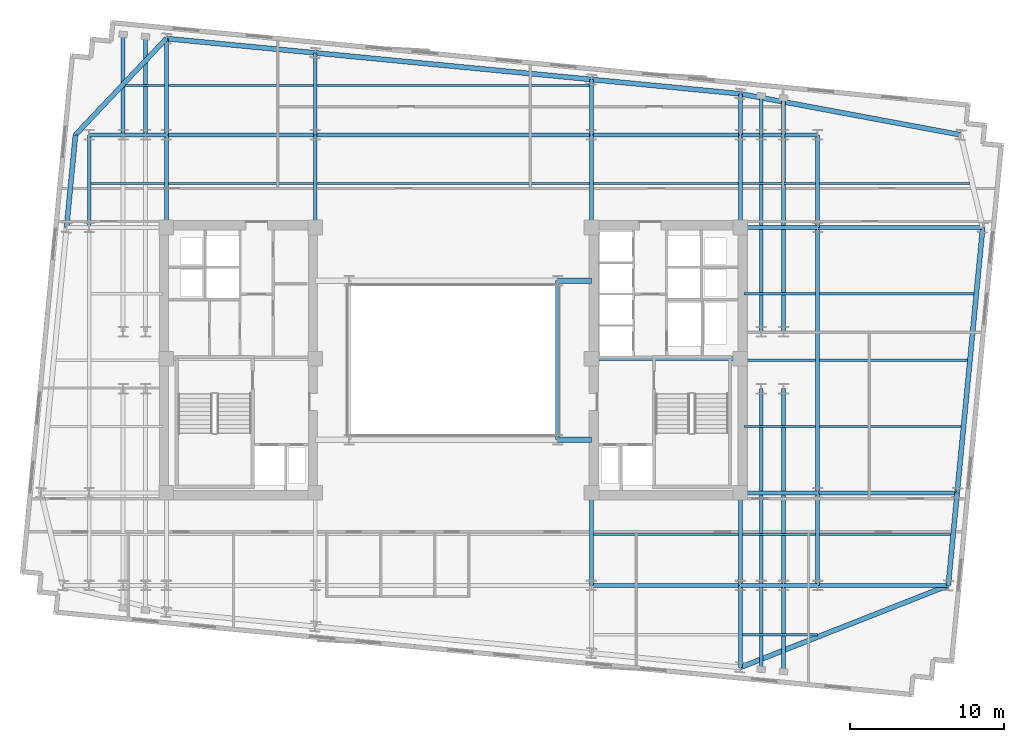
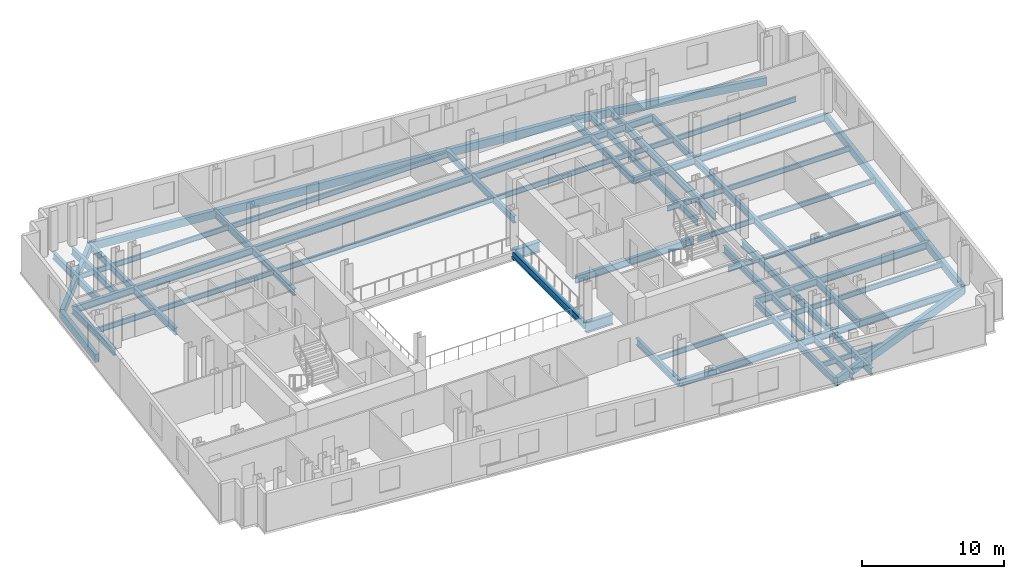
# One storey, part 2 of 9: 69 beams.
"""IFC4 building model written with IfcOpenShell, lengths in metres."""

from ifc_helpers import new_model, si_unit, direction, frame, origin, origin_2d, place, context, subcontext, project, spatial, rectangle, i_section, extrude, material, material_profile, profile_set, type_object, element, save


model = new_model("IFC4")

# Units and contexts
model_context = context("Model", 3, precision=1e-05, world=origin(), true_north=direction((0.0, 1.0)))
body_context = subcontext(model_context, "Body", "Model", "MODEL_VIEW")
ifc_project = project(units=[si_unit("LENGTHUNIT", "METRE"), si_unit("AREAUNIT", "SQUARE_METRE"), si_unit("VOLUMEUNIT", "CUBIC_METRE"), si_unit("PLANEANGLEUNIT", "RADIAN"), si_unit("MASSUNIT", "GRAM", prefix="KILO")], contexts=[model_context])

# Site, building, storey
site_placement = place(None, origin())
site = spatial("IfcSite", under=ifc_project, at=site_placement, CompositionType="ELEMENT")
building_placement = place(site_placement, origin())
building = spatial("IfcBuilding", under=site, at=building_placement, Name="Velakula Bourse", CompositionType="ELEMENT")
storey_placement = place(building_placement, frame((0.0, 0.0, 181.10009765625)))
storey = spatial("IfcBuildingStorey", under=building, at=storey_placement, Name="L49", CompositionType="ELEMENT", Elevation=181.10009765625)

# Beams
ifc_material_1 = material(Name="Steel IS 2062 Grade 350 (E350)", Category="steel")
ifc_material_profile_1 = material_profile(ifc_material_1, i_section(OverallWidth=0.25, OverallDepth=0.60009765625, WebThickness=0.01123046875, FlangeThickness=0.021240234375, at=origin_2d()), Name="Steel IS 2062 Grade 350 (E350)")
ifc_profile_set_1 = profile_set([ifc_material_profile_1], Name="Steel IS 2062 Grade 350 (E350)")
beam_type_1 = type_object("IfcBeamType", Name="BM-GRD-600M", PredefinedType="BEAM", material=ifc_profile_set_1)
beam_1_placement = place(storey_placement, frame((8.949951171875, 0.10009765625, -0.47998046875), z_axis=(1.0, 0.0, 0.0), x_axis=(0.0, 1.0, 0.0)))
element("IfcBeam", 1, at=beam_1_placement, inside=storey, type_object=beam_type_1, Name="L49 Primary Backbone Girder CRE-M", PredefinedType="BEAM", context=body_context, shape_type="SweptSolid", body=[
    extrude(i_section(OverallWidth=0.25, OverallDepth=0.60009765625, WebThickness=0.01123046875, FlangeThickness=0.021240234375, at=origin_2d()), origin(), (0.0, 0.0, 1.0), 9.650146484375),
])
beam_2_placement = place(storey_placement, frame((6.75, -5.14990234375, -0.47998046875), z_axis=(0.0, 1.0, 0.0), x_axis=(-1.0, 0.0, 0.0)))
element("IfcBeam", 2, at=beam_2_placement, inside=storey, type_object=beam_type_1, Name="L49 Primary Backbone Girder SPN-E", PredefinedType="BEAM", context=body_context, shape_type="SweptSolid", body=[
    extrude(i_section(OverallWidth=0.25, OverallDepth=0.60009765625, WebThickness=0.01123046875, FlangeThickness=0.021240234375, at=origin_2d()), origin(), (0.0, 0.0, 1.0), 10.2998046875),
])
for number, where, z_axis, x_axis, name in (
    (3, (-18.60009765625, 8.60009765625, -0.47998046875), (0.0, 1.0, 0.0), (-1.0, 0.0, 0.0), "L49 Fulcrum Grid Girder FLC-WN"),
    (4, (-8.949951171875, 8.60009765625, -0.47998046875), (0.0, 1.0, 0.0), (-1.0, 0.0, 0.0), "L49 Fulcrum Grid Girder FLC-WCN"),
    (5, (8.949951171875, -14.60009765625, -0.47998046875), (0.0, 1.0, 0.0), (-1.0, 0.0, 0.0), "L49 Fulcrum Grid Girder FLC-ECS"),
    (6, (8.949951171875, 8.60009765625, -0.47998046875), (0.0, 1.0, 0.0), (-1.0, 0.0, 0.0), "L49 Fulcrum Grid Girder FLC-ECN"),
    (7, (18.60009765625, -14.60009765625, -0.47998046875), (0.0, 1.0, 0.0), (-1.0, 0.0, 0.0), "L49 Fulcrum Grid Girder FLC-ES"),
    (8, (18.60009765625, 8.60009765625, -0.47998046875), (0.0, 1.0, 0.0), (-1.0, 0.0, 0.0), "L49 Fulcrum Grid Girder FLC-EN"),
):
    element("IfcBeam", number, at=place(storey_placement, frame(where, z_axis=z_axis, x_axis=x_axis)), inside=storey, type_object=beam_type_1, Name=name, PredefinedType="BEAM", context=body_context, shape_type="SweptSolid", body=[
        extrude(i_section(OverallWidth=0.25, OverallDepth=0.60009765625, WebThickness=0.01123046875, FlangeThickness=0.021240234375, at=origin_2d()), origin(), (0.0, 0.0, 1.0), 6.0),
    ])
for number, where, z_axis, x_axis, name in (
    (9, (8.949951171875, -14.60009765625, -0.47998046875), (1.0, 0.0, 0.0), (0.0, 1.0, 0.0), "L49 Fulcrum Grid Girder FLC-S3"),
    (10, (-18.60009765625, 14.60009765625, -0.47998046875), (1.0, 0.0, 0.0), (0.0, 1.0, 0.0), "L49 Fulcrum Grid Girder FLC-N1"),
):
    element("IfcBeam", number, at=place(storey_placement, frame(where, z_axis=z_axis, x_axis=x_axis)), inside=storey, type_object=beam_type_1, Name=name, PredefinedType="BEAM", context=body_context, shape_type="SweptSolid", body=[
        extrude(i_section(OverallWidth=0.25, OverallDepth=0.60009765625, WebThickness=0.01123046875, FlangeThickness=0.021240234375, at=origin_2d()), origin(), (0.0, 0.0, 1.0), 9.650146484375),
    ])
beam_3_placement = place(storey_placement, frame((-8.949951171875, 14.60009765625, -0.47998046875), z_axis=(1.0, 0.0, 0.0), x_axis=(0.0, 1.0, 0.0)))
element("IfcBeam", 11, at=beam_3_placement, inside=storey, type_object=beam_type_1, Name="L49 Fulcrum Grid Girder FLC-N2", PredefinedType="BEAM", context=body_context, shape_type="SweptSolid", body=[
    extrude(i_section(OverallWidth=0.25, OverallDepth=0.60009765625, WebThickness=0.01123046875, FlangeThickness=0.021240234375, at=origin_2d()), origin(), (0.0, 0.0, 1.0), 17.89990234375),
])
beam_4_placement = place(storey_placement, frame((8.949951171875, 14.60009765625, -0.47998046875), z_axis=(1.0, 0.0, 0.0), x_axis=(0.0, 1.0, 0.0)))
element("IfcBeam", 12, at=beam_4_placement, inside=storey, type_object=beam_type_1, Name="L49 Fulcrum Grid Girder FLC-N3", PredefinedType="BEAM", context=body_context, shape_type="SweptSolid", body=[
    extrude(i_section(OverallWidth=0.25, OverallDepth=0.60009765625, WebThickness=0.01123046875, FlangeThickness=0.021240234375, at=origin_2d()), origin(), (0.0, 0.0, 1.0), 9.650146484375),
])
for number, where, z_axis, x_axis, name in (
    (13, (19.949951171875, -14.60009765625, -0.47998046875), (0.0, 1.0, 0.0), (-1.0, 0.0, 0.0), "L49 Fulcrum Grid Girder FLC-PSE1"),
    (14, (19.949951171875, 1.85009765625, -0.47998046875), (0.0, 1.0, 0.0), (-1.0, 0.0, 0.0), "L49 Fulcrum Grid Girder FLC-PNE1"),
    (15, (21.39990234375, -14.60009765625, -0.47998046875), (0.0, 1.0, 0.0), (-1.0, 0.0, 0.0), "L49 Fulcrum Grid Girder FLC-PSE2"),
    (16, (21.39990234375, 1.85009765625, -0.47998046875), (0.0, 1.0, 0.0), (-1.0, 0.0, 0.0), "L49 Fulcrum Grid Girder FLC-PNE2"),
):
    element("IfcBeam", number, at=place(storey_placement, frame(where, z_axis=z_axis, x_axis=x_axis)), inside=storey, type_object=beam_type_1, Name=name, PredefinedType="BEAM", context=body_context, shape_type="SweptSolid", body=[
        extrude(i_section(OverallWidth=0.25, OverallDepth=0.60009765625, WebThickness=0.01123046875, FlangeThickness=0.021240234375, at=origin_2d()), origin(), (0.0, 0.0, 1.0), 12.75),
    ])
beam_5_placement = place(storey_placement, frame((-23.60009765625, 14.60009765625, -0.47998046875), z_axis=(1.0, 0.0, 0.0), x_axis=(0.0, 1.0, 0.0)))
element("IfcBeam", 17, at=beam_5_placement, inside=storey, type_object=beam_type_1, Name="L49 Fulcrum Grid Girder MWG-WN2", PredefinedType="BEAM", context=body_context, shape_type="SweptSolid", body=[
    extrude(i_section(OverallWidth=0.25, OverallDepth=0.60009765625, WebThickness=0.01123046875, FlangeThickness=0.021240234375, at=origin_2d()), origin(), (0.0, 0.0, 1.0), 5.0),
])
beam_6_placement = place(storey_placement, frame((-23.60009765625, 8.60009765625, -0.47998046875), z_axis=(0.0, 1.0, 0.0), x_axis=(-1.0, 0.0, 0.0)))
element("IfcBeam", 18, at=beam_6_placement, inside=storey, type_object=beam_type_1, Name="L49 Fulcrum Grid Girder MWG-WNS3", PredefinedType="BEAM", context=body_context, shape_type="SweptSolid", body=[
    extrude(i_section(OverallWidth=0.25, OverallDepth=0.60009765625, WebThickness=0.01123046875, FlangeThickness=0.021240234375, at=origin_2d()), origin(), (0.0, 0.0, 1.0), 6.0),
])
for number, where, z_axis, x_axis, name in (
    (19, (18.60009765625, -14.60009765625, -0.47998046875), (1.0, 0.0, 0.0), (0.0, 1.0, 0.0), "L49 Fulcrum Grid Girder MWG-ES1"),
    (20, (18.60009765625, -8.60009765625, -0.47998046875), (1.0, 0.0, 0.0), (0.0, 1.0, 0.0), "L49 Fulcrum Grid Girder MWG-ES2"),
    (21, (18.60009765625, 8.60009765625, -0.47998046875), (1.0, 0.0, 0.0), (0.0, 1.0, 0.0), "L49 Fulcrum Grid Girder MWG-EN1"),
    (22, (18.60009765625, 14.60009765625, -0.47998046875), (1.0, 0.0, 0.0), (0.0, 1.0, 0.0), "L49 Fulcrum Grid Girder MWG-EN2"),
):
    element("IfcBeam", number, at=place(storey_placement, frame(where, z_axis=z_axis, x_axis=x_axis)), inside=storey, type_object=beam_type_1, Name=name, PredefinedType="BEAM", context=body_context, shape_type="SweptSolid", body=[
        extrude(i_section(OverallWidth=0.25, OverallDepth=0.60009765625, WebThickness=0.01123046875, FlangeThickness=0.021240234375, at=origin_2d()), origin(), (0.0, 0.0, 1.0), 5.0),
    ])
beam_7_placement = place(storey_placement, frame((23.60009765625, -14.60009765625, -0.47998046875), z_axis=(0.0, 1.0, 0.0), x_axis=(-1.0, 0.0, 0.0)))
element("IfcBeam", 23, at=beam_7_placement, inside=storey, type_object=beam_type_1, Name="L49 Fulcrum Grid Girder MWG-ENS1", PredefinedType="BEAM", context=body_context, shape_type="SweptSolid", body=[
    extrude(i_section(OverallWidth=0.25, OverallDepth=0.60009765625, WebThickness=0.01123046875, FlangeThickness=0.021240234375, at=origin_2d()), origin(), (0.0, 0.0, 1.0), 6.0),
])
beam_8_placement = place(storey_placement, frame((23.60009765625, -8.60009765625, -0.47998046875), z_axis=(0.0, 1.0, 0.0), x_axis=(-1.0, 0.0, 0.0)))
element("IfcBeam", 24, at=beam_8_placement, inside=storey, type_object=beam_type_1, Name="L49 Fulcrum Grid Girder MWG-ENS2", PredefinedType="BEAM", context=body_context, shape_type="SweptSolid", body=[
    extrude(i_section(OverallWidth=0.25, OverallDepth=0.60009765625, WebThickness=0.01123046875, FlangeThickness=0.021240234375, at=origin_2d()), origin(), (0.0, 0.0, 1.0), 17.2001953125),
])
beam_9_placement = place(storey_placement, frame((23.60009765625, 8.60009765625, -0.47998046875), z_axis=(0.0, 1.0, 0.0), x_axis=(-1.0, 0.0, 0.0)))
element("IfcBeam", 25, at=beam_9_placement, inside=storey, type_object=beam_type_1, Name="L49 Fulcrum Grid Girder MWG-ENS3", PredefinedType="BEAM", context=body_context, shape_type="SweptSolid", body=[
    extrude(i_section(OverallWidth=0.25, OverallDepth=0.60009765625, WebThickness=0.01123046875, FlangeThickness=0.021240234375, at=origin_2d()), origin(), (0.0, 0.0, 1.0), 6.0),
])
beam_10_placement = place(storey_placement, frame((18.60009765625, -14.60009765625, -0.47998046875), z_axis=(0.0, -1.0, 0.0), x_axis=(1.0, 0.0, 0.0)))
element("IfcBeam", 26, at=beam_10_placement, inside=storey, type_object=beam_type_1, Name="L49 Perimeter Tie Girder S4", PredefinedType="BEAM", context=body_context, shape_type="SweptSolid", body=[
    extrude(i_section(OverallWidth=0.25, OverallDepth=0.60009765625, WebThickness=0.01123046875, FlangeThickness=0.021240234375, at=origin_2d()), origin(), (0.0, 0.0, 1.0), 5.310546875),
])
beam_11_placement = place(storey_placement, frame((-18.60009765625, 14.60009765625, -0.47998046875), z_axis=(0.0, 1.0, 0.0), x_axis=(-1.0, 0.0, 0.0)))
element("IfcBeam", 27, at=beam_11_placement, inside=storey, type_object=beam_type_1, Name="L49 Perimeter Tie Girder N1", PredefinedType="BEAM", context=body_context, shape_type="SweptSolid", body=[
    extrude(i_section(OverallWidth=0.25, OverallDepth=0.60009765625, WebThickness=0.01123046875, FlangeThickness=0.021240234375, at=origin_2d()), origin(), (0.0, 0.0, 1.0), 6.2421875),
])
beam_12_placement = place(storey_placement, frame((-8.949951171875, 14.60009765625, -0.47998046875), z_axis=(0.0, 1.0, 0.0), x_axis=(-1.0, 0.0, 0.0)))
element("IfcBeam", 28, at=beam_12_placement, inside=storey, type_object=beam_type_1, Name="L49 Perimeter Tie Girder N2", PredefinedType="BEAM", context=body_context, shape_type="SweptSolid", body=[
    extrude(i_section(OverallWidth=0.25, OverallDepth=0.60009765625, WebThickness=0.01123046875, FlangeThickness=0.021240234375, at=origin_2d()), origin(), (0.0, 0.0, 1.0), 5.31298828125),
])
beam_13_placement = place(storey_placement, frame((8.949951171875, 14.60009765625, -0.47998046875), z_axis=(0.0, 1.0, 0.0), x_axis=(-1.0, 0.0, 0.0)))
element("IfcBeam", 29, at=beam_13_placement, inside=storey, type_object=beam_type_1, Name="L49 Perimeter Tie Girder N3", PredefinedType="BEAM", context=body_context, shape_type="SweptSolid", body=[
    extrude(i_section(OverallWidth=0.25, OverallDepth=0.60009765625, WebThickness=0.01123046875, FlangeThickness=0.021240234375, at=origin_2d()), origin(), (0.0, 0.0, 1.0), 3.589599609375),
])
beam_14_placement = place(storey_placement, frame((18.60009765625, 14.60009765625, -0.47998046875), z_axis=(0.0, 1.0, 0.0), x_axis=(-1.0, 0.0, 0.0)))
element("IfcBeam", 30, at=beam_14_placement, inside=storey, type_object=beam_type_1, Name="L49 Perimeter Tie Girder N4", PredefinedType="BEAM", context=body_context, shape_type="SweptSolid", body=[
    extrude(i_section(OverallWidth=0.25, OverallDepth=0.60009765625, WebThickness=0.01123046875, FlangeThickness=0.021240234375, at=origin_2d()), origin(), (0.0, 0.0, 1.0), 2.660400390625),
])
beam_15_placement = place(storey_placement, frame((23.60009765625, -14.60009765625, -0.47998046875), z_axis=(1.0, 0.0, 0.0), x_axis=(0.0, 1.0, 0.0)))
element("IfcBeam", 31, at=beam_15_placement, inside=storey, type_object=beam_type_1, Name="L49 Perimeter Tie Girder E1", PredefinedType="BEAM", context=body_context, shape_type="SweptSolid", body=[
    extrude(i_section(OverallWidth=0.25, OverallDepth=0.60009765625, WebThickness=0.01123046875, FlangeThickness=0.021240234375, at=origin_2d()), origin(), (0.0, 0.0, 1.0), 8.47119140625),
])
beam_16_placement = place(storey_placement, frame((23.60009765625, -8.60009765625, -0.47998046875), z_axis=(1.0, 0.0, 0.0), x_axis=(0.0, 1.0, 0.0)))
element("IfcBeam", 32, at=beam_16_placement, inside=storey, type_object=beam_type_1, Name="L49 Perimeter Tie Girder E2", PredefinedType="BEAM", context=body_context, shape_type="SweptSolid", body=[
    extrude(i_section(OverallWidth=0.25, OverallDepth=0.60009765625, WebThickness=0.01123046875, FlangeThickness=0.021240234375, at=origin_2d()), origin(), (0.0, 0.0, 1.0), 9.048828125),
])
beam_17_placement = place(storey_placement, frame((23.60009765625, 8.60009765625, -0.47998046875), z_axis=(1.0, 0.0, 0.0), x_axis=(0.0, 1.0, 0.0)))
element("IfcBeam", 33, at=beam_17_placement, inside=storey, type_object=beam_type_1, Name="L49 Perimeter Tie Girder E3", PredefinedType="BEAM", context=body_context, shape_type="SweptSolid", body=[
    extrude(i_section(OverallWidth=0.25, OverallDepth=0.60009765625, WebThickness=0.01123046875, FlangeThickness=0.021240234375, at=origin_2d()), origin(), (0.0, 0.0, 1.0), 10.705078125),
])
beam_18_placement = place(storey_placement, frame((19.949951171875, -14.60009765625, -0.47998046875), z_axis=(0.0, -1.0, 0.0), x_axis=(1.0, 0.0, 0.0)))
element("IfcBeam", 34, at=beam_18_placement, inside=storey, type_object=beam_type_1, Name="L49 Perimeter Tie Girder P03", PredefinedType="BEAM", context=body_context, shape_type="SweptSolid", body=[
    extrude(i_section(OverallWidth=0.25, OverallDepth=0.60009765625, WebThickness=0.01123046875, FlangeThickness=0.021240234375, at=origin_2d()), origin(), (0.0, 0.0, 1.0), 5.4404296875),
])
beam_19_placement = place(storey_placement, frame((21.39990234375, -14.60009765625, -0.47998046875), z_axis=(0.0, -1.0, 0.0), x_axis=(1.0, 0.0, 0.0)))
element("IfcBeam", 35, at=beam_19_placement, inside=storey, type_object=beam_type_1, Name="L49 Perimeter Tie Girder P04", PredefinedType="BEAM", context=body_context, shape_type="SweptSolid", body=[
    extrude(i_section(OverallWidth=0.25, OverallDepth=0.60009765625, WebThickness=0.01123046875, FlangeThickness=0.021240234375, at=origin_2d()), origin(), (0.0, 0.0, 1.0), 5.580322265625),
])
beam_20_placement = place(storey_placement, frame((-21.39990234375, 14.60009765625, -0.47998046875), z_axis=(0.0, 1.0, 0.0), x_axis=(-1.0, 0.0, 0.0)))
element("IfcBeam", 36, at=beam_20_placement, inside=storey, type_object=beam_type_1, Name="L49 Perimeter Tie Girder P05", PredefinedType="BEAM", context=body_context, shape_type="SweptSolid", body=[
    extrude(i_section(OverallWidth=0.25, OverallDepth=0.60009765625, WebThickness=0.01123046875, FlangeThickness=0.021240234375, at=origin_2d()), origin(), (0.0, 0.0, 1.0), 6.511962890625),
])
beam_21_placement = place(storey_placement, frame((-19.949951171875, 14.60009765625, -0.47998046875), z_axis=(0.0, 1.0, 0.0), x_axis=(-1.0, 0.0, 0.0)))
element("IfcBeam", 37, at=beam_21_placement, inside=storey, type_object=beam_type_1, Name="L49 Perimeter Tie Girder P06", PredefinedType="BEAM", context=body_context, shape_type="SweptSolid", body=[
    extrude(i_section(OverallWidth=0.25, OverallDepth=0.60009765625, WebThickness=0.01123046875, FlangeThickness=0.021240234375, at=origin_2d()), origin(), (0.0, 0.0, 1.0), 6.372314453125),
])
beam_22_placement = place(storey_placement, frame((19.949951171875, 14.60009765625, -0.47998046875), z_axis=(0.0, 1.0, 0.0), x_axis=(-1.0, 0.0, 0.0)))
element("IfcBeam", 38, at=beam_22_placement, inside=storey, type_object=beam_type_1, Name="L49 Perimeter Tie Girder P07", PredefinedType="BEAM", context=body_context, shape_type="SweptSolid", body=[
    extrude(i_section(OverallWidth=0.25, OverallDepth=0.60009765625, WebThickness=0.01123046875, FlangeThickness=0.021240234375, at=origin_2d()), origin(), (0.0, 0.0, 1.0), 2.530517578125),
])
beam_23_placement = place(storey_placement, frame((21.39990234375, 14.60009765625, -0.47998046875), z_axis=(0.0, 1.0, 0.0), x_axis=(-1.0, 0.0, 0.0)))
element("IfcBeam", 39, at=beam_23_placement, inside=storey, type_object=beam_type_1, Name="L49 Perimeter Tie Girder P08", PredefinedType="BEAM", context=body_context, shape_type="SweptSolid", body=[
    extrude(i_section(OverallWidth=0.25, OverallDepth=0.60009765625, WebThickness=0.01123046875, FlangeThickness=0.021240234375, at=origin_2d()), origin(), (0.0, 0.0, 1.0), 2.390869140625),
])
ifc_material_profile_2 = material_profile(ifc_material_1, i_section(OverallWidth=0.35009765625, OverallDepth=0.89990234375, WebThickness=0.02001953125, FlangeThickness=0.031982421875, at=origin_2d()), Name="Steel IS 2062 Grade 350 (E350)")
ifc_profile_set_2 = profile_set([ifc_material_profile_2], Name="Steel IS 2062 Grade 350 (E350)")
beam_type_2 = type_object("IfcBeamType", Name="BM-LNK-900", PredefinedType="BEAM", material=ifc_profile_set_2)
for number, where, z_axis, x_axis, name in (
    (40, (6.75, -5.14990234375, -0.630126953125), (1.0, 0.0, 0.0), (0.0, 1.0, 0.0), "L49 Primary Backbone Girder LNK-S3"),
    (41, (6.75, 5.14990234375, -0.630126953125), (1.0, 0.0, 0.0), (0.0, 1.0, 0.0), "L49 Primary Backbone Girder LNK-N3"),
):
    element("IfcBeam", number, at=place(storey_placement, frame(where, z_axis=z_axis, x_axis=x_axis)), inside=storey, type_object=beam_type_2, Name=name, PredefinedType="BEAM", context=body_context, shape_type="SweptSolid", body=[
        extrude(i_section(OverallWidth=0.35009765625, OverallDepth=0.89990234375, WebThickness=0.02001953125, FlangeThickness=0.031982421875, at=origin_2d()), origin(), (0.0, 0.0, 1.0), 2.199951171875),
    ])
ifc_material_profile_3 = material_profile(ifc_material_1, i_section(OverallWidth=0.14990234375, OverallDepth=0.449951171875, WebThickness=0.009521484375, FlangeThickness=0.017333984375, at=origin_2d()), Name="Steel IS 2062 Grade 350 (E350)")
ifc_profile_set_3 = profile_set([ifc_material_profile_3], Name="Steel IS 2062 Grade 350 (E350)")
beam_type_3 = type_object("IfcBeamType", Name="JST-TWR-450", PredefinedType="JOIST", material=ifc_profile_set_3)
beam_24_placement = place(storey_placement, frame((18.72509765625, -17.800048828125, -0.405029296875), z_axis=(1.0, 0.0, 0.0), x_axis=(0.0, 1.0, 0.0)))
element("IfcBeam", 42, at=beam_24_placement, inside=storey, type_object=beam_type_3, Name="L49 Trading Floor Composite Joist 03", PredefinedType="JOIST", context=body_context, shape_type="SweptSolid", body=[
    extrude(i_section(OverallWidth=0.14990234375, OverallDepth=0.449951171875, WebThickness=0.009521484375, FlangeThickness=0.017333984375, at=origin_2d()), origin(), (0.0, 0.0, 1.0), 4.875),
])
beam_25_placement = place(storey_placement, frame((9.074951171875, -11.300048828125, -0.405029296875), z_axis=(1.0, 0.0, 0.0), x_axis=(0.0, 1.0, 0.0)))
element("IfcBeam", 43, at=beam_25_placement, inside=storey, type_object=beam_type_3, Name="L49 Trading Floor Composite Joist 08", PredefinedType="JOIST", context=body_context, shape_type="SweptSolid", body=[
    extrude(i_section(OverallWidth=0.14990234375, OverallDepth=0.449951171875, WebThickness=0.009521484375, FlangeThickness=0.017333984375, at=origin_2d()), origin(), (0.0, 0.0, 1.0), 9.400146484375),
])
beam_26_placement = place(storey_placement, frame((18.72509765625, -11.300048828125, -0.405029296875), z_axis=(1.0, 0.0, 0.0), x_axis=(0.0, 1.0, 0.0)))
element("IfcBeam", 44, at=beam_26_placement, inside=storey, type_object=beam_type_3, Name="L49 Trading Floor Composite Joist 09", PredefinedType="JOIST", context=body_context, shape_type="SweptSolid", body=[
    extrude(i_section(OverallWidth=0.14990234375, OverallDepth=0.449951171875, WebThickness=0.009521484375, FlangeThickness=0.017333984375, at=origin_2d()), origin(), (0.0, 0.0, 1.0), 4.75),
])
beam_27_placement = place(storey_placement, frame((23.72509765625, -11.300048828125, -0.405029296875), z_axis=(1.0, 0.0, 0.0), x_axis=(0.0, 1.0, 0.0)))
element("IfcBeam", 45, at=beam_27_placement, inside=storey, type_object=beam_type_3, Name="L49 Trading Floor Composite Joist 10", PredefinedType="JOIST", context=body_context, shape_type="SweptSolid", body=[
    extrude(i_section(OverallWidth=0.14990234375, OverallDepth=0.449951171875, WebThickness=0.009521484375, FlangeThickness=0.017333984375, at=origin_2d()), origin(), (0.0, 0.0, 1.0), 8.503173828125),
])
beam_28_placement = place(storey_placement, frame((-23.47509765625, 11.449951171875, -0.405029296875), z_axis=(1.0, 0.0, 0.0), x_axis=(0.0, 1.0, 0.0)))
element("IfcBeam", 46, at=beam_28_placement, inside=storey, type_object=beam_type_3, Name="L49 Trading Floor Composite Joist 11", PredefinedType="JOIST", context=body_context, shape_type="SweptSolid", body=[
    extrude(i_section(OverallWidth=0.14990234375, OverallDepth=0.449951171875, WebThickness=0.009521484375, FlangeThickness=0.017333984375, at=origin_2d()), origin(), (0.0, 0.0, 1.0), 4.75),
])
beam_29_placement = place(storey_placement, frame((-18.47509765625, 11.449951171875, -0.405029296875), z_axis=(1.0, 0.0, 0.0), x_axis=(0.0, 1.0, 0.0)))
element("IfcBeam", 47, at=beam_29_placement, inside=storey, type_object=beam_type_3, Name="L49 Trading Floor Composite Joist 12", PredefinedType="JOIST", context=body_context, shape_type="SweptSolid", body=[
    extrude(i_section(OverallWidth=0.14990234375, OverallDepth=0.449951171875, WebThickness=0.009521484375, FlangeThickness=0.017333984375, at=origin_2d()), origin(), (0.0, 0.0, 1.0), 9.400146484375),
])
beam_30_placement = place(storey_placement, frame((-8.824951171875, 11.449951171875, -0.405029296875), z_axis=(1.0, 0.0, 0.0), x_axis=(0.0, 1.0, 0.0)))
element("IfcBeam", 48, at=beam_30_placement, inside=storey, type_object=beam_type_3, Name="L49 Trading Floor Composite Joist 13", PredefinedType="JOIST", context=body_context, shape_type="SweptSolid", body=[
    extrude(i_section(OverallWidth=0.14990234375, OverallDepth=0.449951171875, WebThickness=0.009521484375, FlangeThickness=0.017333984375, at=origin_2d()), origin(), (0.0, 0.0, 1.0), 17.64990234375),
])
beam_31_placement = place(storey_placement, frame((9.074951171875, 11.449951171875, -0.405029296875), z_axis=(1.0, 0.0, 0.0), x_axis=(0.0, 1.0, 0.0)))
element("IfcBeam", 49, at=beam_31_placement, inside=storey, type_object=beam_type_3, Name="L49 Trading Floor Composite Joist 14", PredefinedType="JOIST", context=body_context, shape_type="SweptSolid", body=[
    extrude(i_section(OverallWidth=0.14990234375, OverallDepth=0.449951171875, WebThickness=0.009521484375, FlangeThickness=0.017333984375, at=origin_2d()), origin(), (0.0, 0.0, 1.0), 9.400146484375),
])
beam_32_placement = place(storey_placement, frame((18.72509765625, 11.449951171875, -0.405029296875), z_axis=(1.0, 0.0, 0.0), x_axis=(0.0, 1.0, 0.0)))
element("IfcBeam", 50, at=beam_32_placement, inside=storey, type_object=beam_type_3, Name="L49 Trading Floor Composite Joist 15", PredefinedType="JOIST", context=body_context, shape_type="SweptSolid", body=[
    extrude(i_section(OverallWidth=0.14990234375, OverallDepth=0.449951171875, WebThickness=0.009521484375, FlangeThickness=0.017333984375, at=origin_2d()), origin(), (0.0, 0.0, 1.0), 4.75),
])
beam_33_placement = place(storey_placement, frame((23.72509765625, 11.449951171875, -0.405029296875), z_axis=(1.0, 0.0, 0.0), x_axis=(0.0, 1.0, 0.0)))
element("IfcBeam", 51, at=beam_33_placement, inside=storey, type_object=beam_type_3, Name="L49 Trading Floor Composite Joist 16", PredefinedType="JOIST", context=body_context, shape_type="SweptSolid", body=[
    extrude(i_section(OverallWidth=0.14990234375, OverallDepth=0.449951171875, WebThickness=0.009521484375, FlangeThickness=0.017333984375, at=origin_2d()), origin(), (0.0, 0.0, 1.0), 9.735595703125),
])
beam_34_placement = place(storey_placement, frame((-21.2509765625, 17.800048828125, -0.405029296875), z_axis=(1.0, 0.0, 0.0), x_axis=(0.0, 1.0, 0.0)))
element("IfcBeam", 52, at=beam_34_placement, inside=storey, type_object=beam_type_3, Name="L49 Trading Floor Composite Joist 17", PredefinedType="JOIST", context=body_context, shape_type="SweptSolid", body=[
    extrude(i_section(OverallWidth=0.14990234375, OverallDepth=0.449951171875, WebThickness=0.009521484375, FlangeThickness=0.017333984375, at=origin_2d()), origin(), (0.0, 0.0, 1.0), 2.52587890625),
])
beam_35_placement = place(storey_placement, frame((-18.47509765625, 17.800048828125, -0.405029296875), z_axis=(1.0, 0.0, 0.0), x_axis=(0.0, 1.0, 0.0)))
element("IfcBeam", 53, at=beam_35_placement, inside=storey, type_object=beam_type_3, Name="L49 Trading Floor Composite Joist 18", PredefinedType="JOIST", context=body_context, shape_type="SweptSolid", body=[
    extrude(i_section(OverallWidth=0.14990234375, OverallDepth=0.449951171875, WebThickness=0.009521484375, FlangeThickness=0.017333984375, at=origin_2d()), origin(), (0.0, 0.0, 1.0), 9.400146484375),
])
beam_36_placement = place(storey_placement, frame((-8.824951171875, 17.800048828125, -0.405029296875), z_axis=(1.0, 0.0, 0.0), x_axis=(0.0, 1.0, 0.0)))
element("IfcBeam", 54, at=beam_36_placement, inside=storey, type_object=beam_type_3, Name="L49 Trading Floor Composite Joist 19", PredefinedType="JOIST", context=body_context, shape_type="SweptSolid", body=[
    extrude(i_section(OverallWidth=0.14990234375, OverallDepth=0.449951171875, WebThickness=0.009521484375, FlangeThickness=0.017333984375, at=origin_2d()), origin(), (0.0, 0.0, 1.0), 17.64990234375),
])
beam_37_placement = place(storey_placement, frame((18.85009765625, -4.300048828125, -0.405029296875), z_axis=(1.0, 0.0, 0.0), x_axis=(0.0, 1.0, 0.0)))
element("IfcBeam", 55, at=beam_37_placement, inside=storey, type_object=beam_type_3, Name="L49 Trading Floor Composite Joist 23", PredefinedType="JOIST", context=body_context, shape_type="SweptSolid", body=[
    extrude(i_section(OverallWidth=0.14990234375, OverallDepth=0.449951171875, WebThickness=0.009521484375, FlangeThickness=0.017333984375, at=origin_2d()), origin(), (0.0, 0.0, 1.0), 4.625),
])
beam_38_placement = place(storey_placement, frame((23.72509765625, -4.300048828125, -0.405029296875), z_axis=(1.0, 0.0, 0.0), x_axis=(0.0, 1.0, 0.0)))
element("IfcBeam", 56, at=beam_38_placement, inside=storey, type_object=beam_type_3, Name="L49 Trading Floor Composite Joist 24", PredefinedType="JOIST", context=body_context, shape_type="SweptSolid", body=[
    extrude(i_section(OverallWidth=0.14990234375, OverallDepth=0.449951171875, WebThickness=0.009521484375, FlangeThickness=0.017333984375, at=origin_2d()), origin(), (0.0, 0.0, 1.0), 9.17724609375),
])
beam_39_placement = place(storey_placement, frame((18.85009765625, 0.0, -0.405029296875), z_axis=(1.0, 0.0, 0.0), x_axis=(0.0, 1.0, 0.0)))
element("IfcBeam", 57, at=beam_39_placement, inside=storey, type_object=beam_type_3, Name="L49 Trading Floor Composite Joist 27", PredefinedType="JOIST", context=body_context, shape_type="SweptSolid", body=[
    extrude(i_section(OverallWidth=0.14990234375, OverallDepth=0.449951171875, WebThickness=0.009521484375, FlangeThickness=0.017333984375, at=origin_2d()), origin(), (0.0, 0.0, 1.0), 4.625),
])
beam_40_placement = place(storey_placement, frame((23.72509765625, 0.0, -0.405029296875), z_axis=(1.0, 0.0, 0.0), x_axis=(0.0, 1.0, 0.0)))
element("IfcBeam", 58, at=beam_40_placement, inside=storey, type_object=beam_type_3, Name="L49 Trading Floor Composite Joist 28", PredefinedType="JOIST", context=body_context, shape_type="SweptSolid", body=[
    extrude(i_section(OverallWidth=0.14990234375, OverallDepth=0.449951171875, WebThickness=0.009521484375, FlangeThickness=0.017333984375, at=origin_2d()), origin(), (0.0, 0.0, 1.0), 9.59130859375),
])
beam_41_placement = place(storey_placement, frame((18.85009765625, 4.300048828125, -0.405029296875), z_axis=(1.0, 0.0, 0.0), x_axis=(0.0, 1.0, 0.0)))
element("IfcBeam", 59, at=beam_41_placement, inside=storey, type_object=beam_type_3, Name="L49 Trading Floor Composite Joist 30", PredefinedType="JOIST", context=body_context, shape_type="SweptSolid", body=[
    extrude(i_section(OverallWidth=0.14990234375, OverallDepth=0.449951171875, WebThickness=0.009521484375, FlangeThickness=0.017333984375, at=origin_2d()), origin(), (0.0, 0.0, 1.0), 4.625),
])
beam_42_placement = place(storey_placement, frame((23.72509765625, 4.300048828125, -0.405029296875), z_axis=(1.0, 0.0, 0.0), x_axis=(0.0, 1.0, 0.0)))
element("IfcBeam", 60, at=beam_42_placement, inside=storey, type_object=beam_type_3, Name="L49 Trading Floor Composite Joist 31", PredefinedType="JOIST", context=body_context, shape_type="SweptSolid", body=[
    extrude(i_section(OverallWidth=0.14990234375, OverallDepth=0.449951171875, WebThickness=0.009521484375, FlangeThickness=0.017333984375, at=origin_2d()), origin(), (0.0, 0.0, 1.0), 10.005126953125),
])
ifc_material_2 = material(Name="Precast concrete M45 (fck 45 MPa)", Category="concrete")
ifc_material_profile_4 = material_profile(ifc_material_2, rectangle(XDim=0.320068359375, YDim=0.679931640625, at=origin_2d()), Name="Precast concrete M45 (fck 45 MPa)")
ifc_profile_set_4 = profile_set([ifc_material_profile_4], Name="Precast concrete M45 (fck 45 MPa)")
beam_type_4 = type_object("IfcBeamType", Name="SPN-BRICK-680", PredefinedType="SPANDREL", material=ifc_profile_set_4)
beam_43_placement = place(storey_placement, frame((-18.60009765625, 20.84228515625, -0.52001953125), z_axis=(0.99539623971, -0.095845323155, 0.0), x_axis=(0.095845323155, 0.99539623971, 0.0)))
element("IfcBeam", 61, at=beam_43_placement, inside=storey, type_object=beam_type_4, Name="L49 Brick-Faced Precast Spandrel N1-N2", PredefinedType="SPANDREL", context=body_context, shape_type="SweptSolid", body=[
    extrude(rectangle(XDim=0.320068359375, YDim=0.679931640625, at=origin_2d()), origin(), (0.0, 0.0, 1.0), 9.69482421875),
])
beam_44_placement = place(storey_placement, frame((-8.949951171875, 19.9130859375, -0.52001953125), z_axis=(0.995397131467, -0.095836061418, 0.0), x_axis=(0.095836061418, 0.995397131467, 0.0)))
element("IfcBeam", 62, at=beam_44_placement, inside=storey, type_object=beam_type_4, Name="L49 Brick-Faced Precast Spandrel N2-N3", PredefinedType="SPANDREL", context=body_context, shape_type="SweptSolid", body=[
    extrude(rectangle(XDim=0.320068359375, YDim=0.679931640625, at=origin_2d()), origin(), (0.0, 0.0, 1.0), 17.982666015625),
])
beam_45_placement = place(storey_placement, frame((8.949951171875, 18.189697265625, -0.52001953125), z_axis=(0.99539623971, -0.095845323155, 0.0), x_axis=(0.095845323155, 0.99539623971, 0.0)))
element("IfcBeam", 63, at=beam_45_placement, inside=storey, type_object=beam_type_4, Name="L49 Brick-Faced Precast Spandrel N3-N4", PredefinedType="SPANDREL", context=body_context, shape_type="SweptSolid", body=[
    extrude(rectangle(XDim=0.320068359375, YDim=0.679931640625, at=origin_2d()), origin(), (0.0, 0.0, 1.0), 9.69482421875),
])
for number, where, z_axis, x_axis, name in (
    (64, (-25.068115234375, 8.60009765625, -0.52001953125), (0.095829714309, 0.995397742541, 0.0), (-0.995397742541, 0.095829714309, 0.0), "L49 Brick-Faced Precast Spandrel W3-W4"),
    (65, (32.0712890625, -14.60009765625, -0.52001953125), (0.095829714309, 0.995397742541, 0.0), (-0.995397742541, 0.095829714309, 0.0), "L49 Brick-Faced Precast Spandrel E1-E2"),
):
    element("IfcBeam", number, at=place(storey_placement, frame(where, z_axis=z_axis, x_axis=x_axis)), inside=storey, type_object=beam_type_4, Name=name, PredefinedType="SPANDREL", context=body_context, shape_type="SweptSolid", body=[
        extrude(rectangle(XDim=0.320068359375, YDim=0.679931640625, at=origin_2d()), origin(), (0.0, 0.0, 1.0), 6.02783203125),
    ])
beam_46_placement = place(storey_placement, frame((32.64892578125, -8.60009765625, -0.52001953125), z_axis=(0.095849167925, 0.995395869495, 0.0), x_axis=(-0.995395869495, 0.095849167925, 0.0)))
element("IfcBeam", 66, at=beam_46_placement, inside=storey, type_object=beam_type_4, Name="L49 Brick-Faced Precast Spandrel E2-E3", PredefinedType="SPANDREL", context=body_context, shape_type="SweptSolid", body=[
    extrude(rectangle(XDim=0.320068359375, YDim=0.679931640625, at=origin_2d()), origin(), (0.0, 0.0, 1.0), 17.27978515625),
])
beam_47_placement = place(storey_placement, frame((18.60009765625, -19.91064453125, -0.52001953125), z_axis=(0.930320901537, 0.366746533949, 0.0), x_axis=(-0.366746533949, 0.930320901537, 0.0)))
element("IfcBeam", 67, at=beam_47_placement, inside=storey, type_object=beam_type_4, Name="L49 Brick-Faced Precast Spandrel S4-E1", PredefinedType="SPANDREL", context=body_context, shape_type="SweptSolid", body=[
    extrude(rectangle(XDim=0.320068359375, YDim=0.679931640625, at=origin_2d()), origin(), (0.0, 0.0, 1.0), 14.480224609375),
])
beam_48_placement = place(storey_placement, frame((32.87353515625, 14.60009765625, -0.52001953125), z_axis=(-0.983069592122, 0.183232576378, 0.0), x_axis=(-0.183232576378, -0.983069592122, 0.0)))
element("IfcBeam", 68, at=beam_48_placement, inside=storey, type_object=beam_type_4, Name="L49 Brick-Faced Precast Spandrel E4-N4", PredefinedType="SPANDREL", context=body_context, shape_type="SweptSolid", body=[
    extrude(rectangle(XDim=0.320068359375, YDim=0.679931640625, at=origin_2d()), origin(), (0.0, 0.0, 1.0), 14.519287109375),
])
beam_49_placement = place(storey_placement, frame((-18.60009765625, 20.84228515625, -0.52001953125), z_axis=(-0.686314417505, -0.727304970645, 0.0), x_axis=(0.727304970645, -0.686314417505, 0.0)))
element("IfcBeam", 69, at=beam_49_placement, inside=storey, type_object=beam_type_4, Name="L49 Brick-Faced Precast Spandrel N1-W4", PredefinedType="SPANDREL", context=body_context, shape_type="SweptSolid", body=[
    extrude(rectangle(XDim=0.320068359375, YDim=0.679931640625, at=origin_2d()), origin(), (0.0, 0.0, 1.0), 8.58251953125),
])

save(model, "model.ifc")
